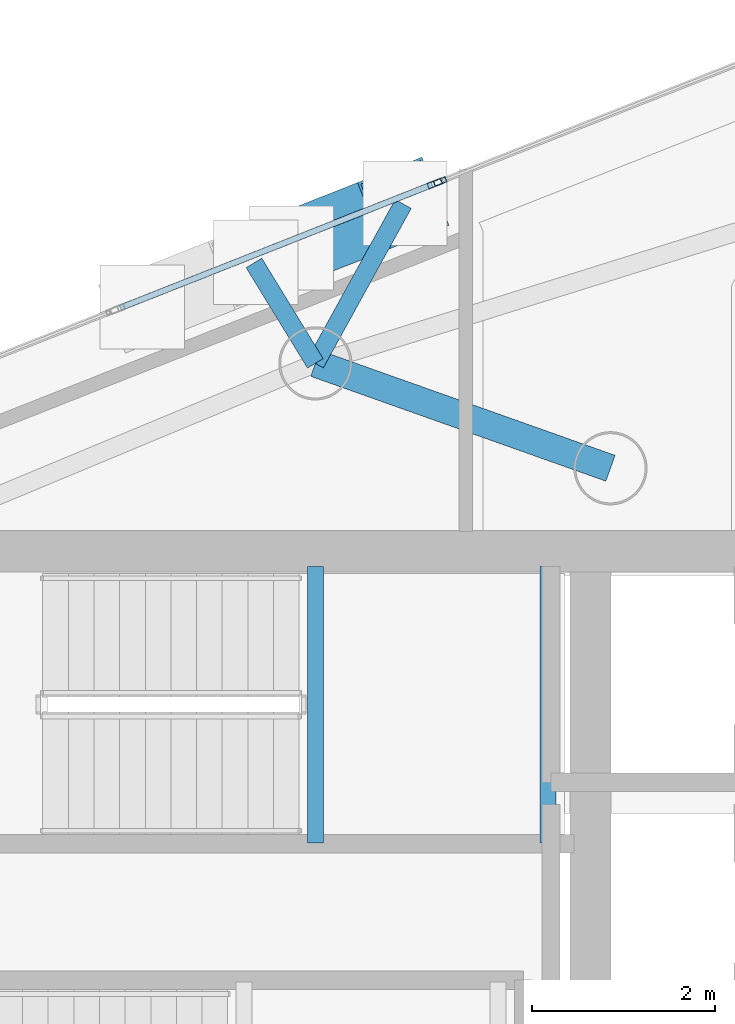
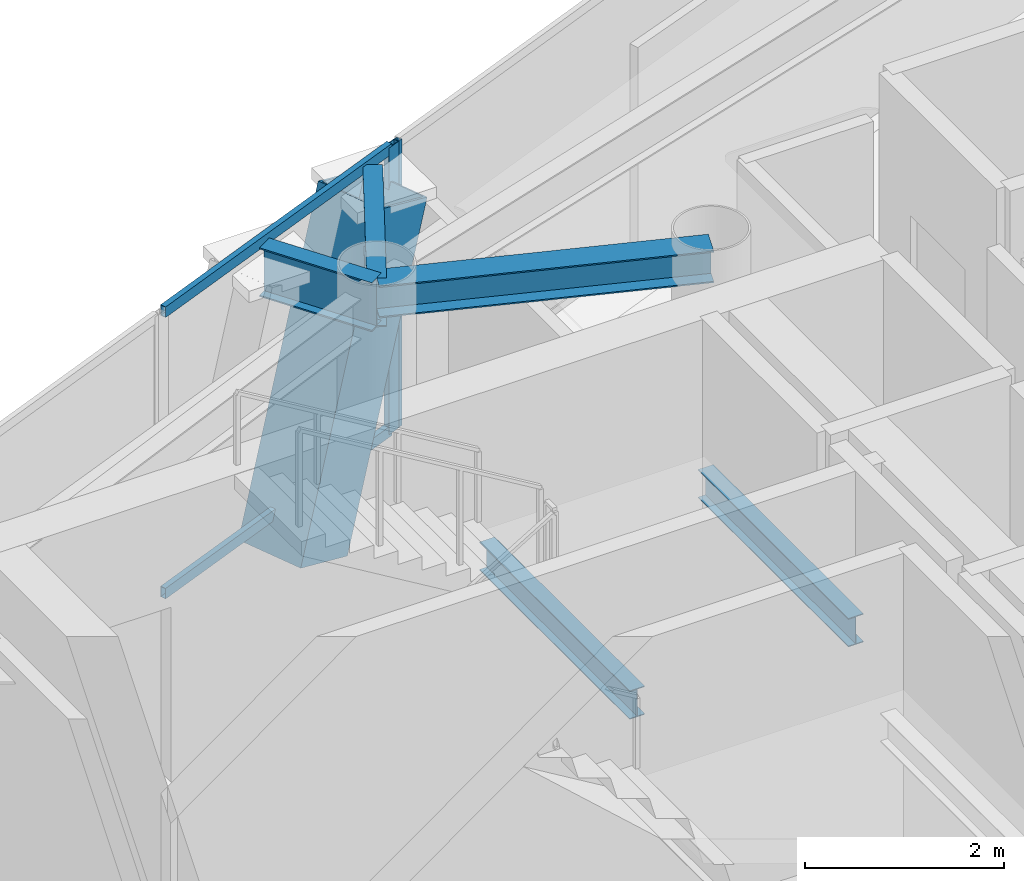
# One storey, part 12 of 19: 5 beams, 5 members, 2 elements without a shape of their own.
"""IFC4 building model written with IfcOpenShell, lengths in metres."""

from ifc_helpers import new_model, si_unit, direction, frame, origin, origin_2d, place, context, subcontext, project, spatial, hollow_rectangle, i_section, extrude, material, layer, layer_set, material_profile, profile_set, type_object, element, aggregate, save


model = new_model("IFC4")

# Units and contexts
model_context = context("Model", 3, precision=1e-05, world=origin(), true_north=direction((0.0, 1.0)))
body_context = subcontext(model_context, "Body", "Model", "MODEL_VIEW")
ifc_project = project(units=[si_unit("LENGTHUNIT", "METRE"), si_unit("AREAUNIT", "SQUARE_METRE"), si_unit("VOLUMEUNIT", "CUBIC_METRE"), si_unit("PLANEANGLEUNIT", "RADIAN"), si_unit("MASSUNIT", "GRAM", prefix="KILO")], contexts=[model_context])

# Site, building, storey
site_placement = place(None, origin())
site = spatial("IfcSite", under=ifc_project, at=site_placement, CompositionType="ELEMENT")
building_placement = place(site_placement, origin())
building = spatial("IfcBuilding", under=site, at=building_placement, Name="Qianvela Tower", CompositionType="ELEMENT")
storey_placement = place(building_placement, frame((0.0, 0.0, 344.39990234375)))
storey = spatial("IfcBuildingStorey", under=building, at=storey_placement, Name="L89", CompositionType="ELEMENT", Elevation=344.39990234375)

# Beams
ifc_material_1 = material(Name="Steel Q355B", Category="steel")
ifc_material_profile_1 = material_profile(ifc_material_1, i_section(OverallWidth=0.300048828125, OverallDepth=0.389892578125, WebThickness=0.010009765625, FlangeThickness=0.01611328125, at=origin_2d()), Name="HM390x300x10x16")
ifc_profile_set_1 = profile_set([ifc_material_profile_1], Name="Steel Q355B")
beam_type_1 = type_object("IfcBeamType", Name="BM-HM390-COLL", PredefinedType="BEAM", material=ifc_profile_set_1)
beam_1_placement = place(storey_placement, frame((38.39990234375, 33.550048828125, 3.322998046875), z_axis=(-0.942297777183, 0.334775893871, 0.0), x_axis=(-0.334775893871, -0.942297777183, 0.0)))
element("IfcBeam", 1, at=beam_1_placement, inside=storey, type_object=beam_type_1, Name="L89 Radial Primary Floor Girder 2", PredefinedType="BEAM", context=body_context, shape_type="SweptSolid", body=[
    extrude(i_section(OverallWidth=0.300048828125, OverallDepth=0.389892578125, WebThickness=0.010009765625, FlangeThickness=0.01611328125, at=origin_2d()), origin(), (0.0, 0.0, 1.0), 3.420166015625),
])
ifc_material_2 = material(Name="Steel Q355B", Category="steel")
ifc_material_profile_2 = material_profile(ifc_material_2, i_section(OverallWidth=0.175048828125, OverallDepth=0.35009765625, WebThickness=0.007080078125, FlangeThickness=0.010986328125, at=origin_2d()), Name="HN350x175x7x11")
ifc_profile_set_2 = profile_set([ifc_material_profile_2], Name="Steel Q355B")
beam_type_2 = type_object("IfcBeamType", Name="BM-HN350-JOIST", PredefinedType="JOIST", material=ifc_profile_set_2)
for number, where, z_axis, x_axis, name in (
    (2, (35.179931640625, 29.4599609375, 1.47509765625), (0.0, 1.0, 0.0), (-1.0, 0.0, 0.0), "L89 Stair ST-1 Landing Support Beam 1.1"),
    (3, (37.719970703125, 29.4599609375, 1.47509765625), (0.0, 1.0, 0.0), (-1.0, 0.0, 0.0), "L89 Stair ST-1 Landing Support Beam 1.2"),
):
    element("IfcBeam", number, at=place(storey_placement, frame(where, z_axis=z_axis, x_axis=x_axis)), inside=storey, type_object=beam_type_2, Name=name, PredefinedType="JOIST", context=body_context, shape_type="SweptSolid", body=[
        extrude(i_section(OverallWidth=0.175048828125, OverallDepth=0.35009765625, WebThickness=0.007080078125, FlangeThickness=0.010986328125, at=origin_2d()), origin(), (0.0, 0.0, 1.0), 3.02001953125),
    ])
ifc_material_3 = material(Name="Steel Q355B", Category="steel")
ifc_material_profile_3 = material_profile(ifc_material_3, i_section(OverallWidth=0.199951171875, OverallDepth=0.60009765625, WebThickness=0.010986328125, FlangeThickness=0.01708984375, at=origin_2d()), Name="HN600x200x11x17")
ifc_profile_set_3 = profile_set([ifc_material_profile_3], Name="Steel Q355B")
beam_type_3 = type_object("IfcBeamType", Name="BM-HN600-GIRD", PredefinedType="BEAM", material=ifc_profile_set_3)
beam_2_placement = place(storey_placement, frame((35.177001953125, 34.695068359375, 3.218017578125), z_axis=(0.482658573115, 0.875808598838, 0.0), x_axis=(-0.875808598838, 0.482658573115, 0.0)))
element("IfcBeam", 4, at=beam_2_placement, inside=storey, type_object=beam_type_3, Name="L89 Mega-Brace Column Tie Bracket F1-1", PredefinedType="BEAM", context=body_context, shape_type="SweptSolid", body=[
    extrude(i_section(OverallWidth=0.199951171875, OverallDepth=0.60009765625, WebThickness=0.010986328125, FlangeThickness=0.01708984375, at=origin_2d()), origin(), (0.0, 0.0, 1.0), 1.98828125),
])
beam_3_placement = place(storey_placement, frame((35.177001953125, 34.695068359375, 3.218017578125), z_axis=(-0.521403926037, 0.853309994031, 0.0), x_axis=(-0.853309994031, -0.521403926037, 0.0)))
element("IfcBeam", 5, at=beam_3_placement, inside=storey, type_object=beam_type_3, Name="L89 Mega-Brace Column Tie Bracket F1-2", PredefinedType="BEAM", context=body_context, shape_type="SweptSolid", body=[
    extrude(i_section(OverallWidth=0.199951171875, OverallDepth=0.60009765625, WebThickness=0.010986328125, FlangeThickness=0.01708984375, at=origin_2d()), origin(), (0.0, 0.0, 1.0), 1.285888671875),
])

# Curtain wall, members
ifc_material_4 = material(Name="Anodised Architectural Aluminium and Insulated Spandrel Panel", Category="aluminium")
ifc_layer_1 = layer(ifc_material_4, 0.179931640625)
ifc_layer_set_1 = layer_set([ifc_layer_1], Name="Anodised Architectural Aluminium and Insulated Spandrel Panel")
curtain_wall_type_1 = type_object("IfcCurtainWallType", Name="CW-BRACEBAY", PredefinedType="USERDEFINED", material=ifc_layer_set_1)
curtain_wall_1_placement = place(storey_placement, origin())
curtain_wall_1 = element("IfcCurtainWall", 6, at=curtain_wall_1_placement, inside=storey, type_object=curtain_wall_type_1, Name="L89 CW-BRACEBAY Curtain Wall 02B", ObjectType="CURTAIN_WALL_SYSTEM", PredefinedType="USERDEFINED")
ifc_material_5 = material(Name="Anodised Architectural Aluminium 6063-T6", Category="aluminium")
ifc_material_profile_4 = material_profile(ifc_material_5, hollow_rectangle(XDim=0.06494140625, YDim=0.159912109375, WallThickness=0.0048828125, at=origin_2d()), Name="ALU-MULL-65x160")
ifc_profile_set_4 = profile_set([ifc_material_profile_4], Name="Anodised Architectural Aluminium 6063-T6")
member_type_1 = type_object("IfcMemberType", Name="CW-BRACEBAY-MULL", PredefinedType="MULLION", material=ifc_profile_set_4)
member_1_placement = place(storey_placement, frame((36.48095703125, 36.65869140625, 0.0), z_axis=(0.0, 0.0, 1.0), x_axis=(0.367602637508, -0.929982957315, 0.0)))
member_1 = element("IfcMember", 7, at=member_1_placement, type_object=member_type_1, Name="CW-9 mullion 1", PredefinedType="MULLION", context=body_context, shape_type="SweptSolid", body=[
    extrude(hollow_rectangle(XDim=0.06494140625, YDim=0.159912109375, WallThickness=0.0048828125, at=origin_2d()), origin(), (0.0, 0.0, 1.0), 3.52001953125),
])
ifc_material_6 = material(Name="Anodised Architectural Aluminium 6063-T6", Category="aluminium")
ifc_material_profile_5 = material_profile(ifc_material_6, hollow_rectangle(XDim=0.06494140625, YDim=0.1298828125, WallThickness=0.00439453125, at=origin_2d()), Name="ALU-TRAN-65x130")
ifc_profile_set_5 = profile_set([ifc_material_profile_5], Name="Anodised Architectural Aluminium 6063-T6")
member_type_2 = type_object("IfcMemberType", Name="CW-BRACEBAY-TRAN", PredefinedType="USERDEFINED", material=ifc_profile_set_5)
member_2_placement = place(storey_placement, frame((36.45068359375, 36.646728515625, 0.03271484375), z_axis=(-0.929973449636, -0.367626689688, 0.0), x_axis=(0.367626689688, -0.929973449636, 0.0)))
member_2 = element("IfcMember", 8, at=member_2_placement, type_object=member_type_2, Name="CW-9 transom 1.1", ObjectType="TRANSOM", PredefinedType="USERDEFINED", context=body_context, shape_type="SweptSolid", body=[
    extrude(hollow_rectangle(XDim=0.06494140625, YDim=0.1298828125, WallThickness=0.00439453125, at=origin_2d()), origin(), (0.0, 0.0, 1.0), 3.659912109375),
])
member_3_placement = place(storey_placement, frame((36.45068359375, 36.646728515625, 3.487548828125), z_axis=(-0.929973449636, -0.367626689688, 0.0), x_axis=(0.367626689688, -0.929973449636, 0.0)))
member_3 = element("IfcMember", 9, at=member_3_placement, type_object=member_type_2, Name="CW-9 transom 1.2", ObjectType="TRANSOM", PredefinedType="USERDEFINED", context=body_context, shape_type="SweptSolid", body=[
    extrude(hollow_rectangle(XDim=0.06494140625, YDim=0.1298828125, WallThickness=0.00439453125, at=origin_2d()), origin(), (0.0, 0.0, 1.0), 3.659912109375),
])
aggregate(curtain_wall_1, [member_1, member_2, member_3])

# Curtain wall, member
ifc_material_7 = material(Name="Anodised Architectural Aluminium and Low-E Glass", Category="aluminium")
ifc_layer_2 = layer(ifc_material_7, 0.14990234375)
ifc_layer_set_2 = layer_set([ifc_layer_2], Name="Anodised Architectural Aluminium and Low-E Glass")
curtain_wall_type_2 = type_object("IfcCurtainWallType", Name="CW-COLIV-Z78", PredefinedType="USERDEFINED", material=ifc_layer_set_2)
curtain_wall_2_placement = place(storey_placement, origin())
curtain_wall_2 = element("IfcCurtainWall", 10, at=curtain_wall_2_placement, inside=storey, type_object=curtain_wall_type_2, Name="L89 CW-COLIV-Z78 Curtain Wall 02A", ObjectType="CURTAIN_WALL_SYSTEM", PredefinedType="USERDEFINED")
ifc_material_8 = material(Name="Anodised Architectural Aluminium 6063-T6", Category="aluminium")
ifc_material_profile_6 = material_profile(ifc_material_8, hollow_rectangle(XDim=0.06005859375, YDim=0.139892578125, WallThickness=0.00439453125, at=origin_2d()), Name="ALU-MULL-60x140")
ifc_profile_set_6 = profile_set([ifc_material_profile_6], Name="Anodised Architectural Aluminium 6063-T6")
member_type_3 = type_object("IfcMemberType", Name="CW-COLIV-Z78-MULL", PredefinedType="MULLION", material=ifc_profile_set_6)
member_4_placement = place(storey_placement, frame((36.5390625, 36.681640625, 0.0), z_axis=(0.0, 0.0, 1.0), x_axis=(0.36758858111, -0.92998851339, 0.0)))
member_4 = element("IfcMember", 11, at=member_4_placement, type_object=member_type_3, Name="CW-6 mullion 3", PredefinedType="MULLION", context=body_context, shape_type="SweptSolid", body=[
    extrude(hollow_rectangle(XDim=0.06005859375, YDim=0.139892578125, WallThickness=0.00439453125, at=origin_2d()), origin(), (0.0, 0.0, 1.0), 3.52001953125),
])
aggregate(curtain_wall_2, [member_4])

# Member
ifc_material_9 = material(Name="Steel Q420GJC", Category="steel")
ifc_material_profile_7 = material_profile(ifc_material_9, hollow_rectangle(XDim=0.800048828125, YDim=0.800048828125, WallThickness=0.028076171875, at=origin_2d()), Name="MBOX-800x800x28")
ifc_profile_set_7 = profile_set([ifc_material_profile_7], Name="Steel Q420GJC")
member_type_4 = type_object("IfcMemberType", Name="MBR-MBRACE-800", PredefinedType="BRACE", material=ifc_profile_set_7)
member_5_placement = place(storey_placement, frame((34.93603515625, 35.9619140625, -0.48193359375), z_axis=(0.306395213227, 0.121112707302, 0.9441682506), x_axis=(-0.367605644275, 0.929981768798, 0.0)))
element("IfcMember", 12, at=member_5_placement, inside=storey, type_object=member_type_4, Name="L89 Tier 15 Exterior Mega-Brace F1A", PredefinedType="BRACE", context=body_context, shape_type="SweptSolid", body=[
    extrude(hollow_rectangle(XDim=0.800048828125, YDim=0.800048828125, WallThickness=0.028076171875, at=origin_2d()), origin(), (0.0, 0.0, 1.0), 3.918701171875),
])

save(model, "model.ifc")
